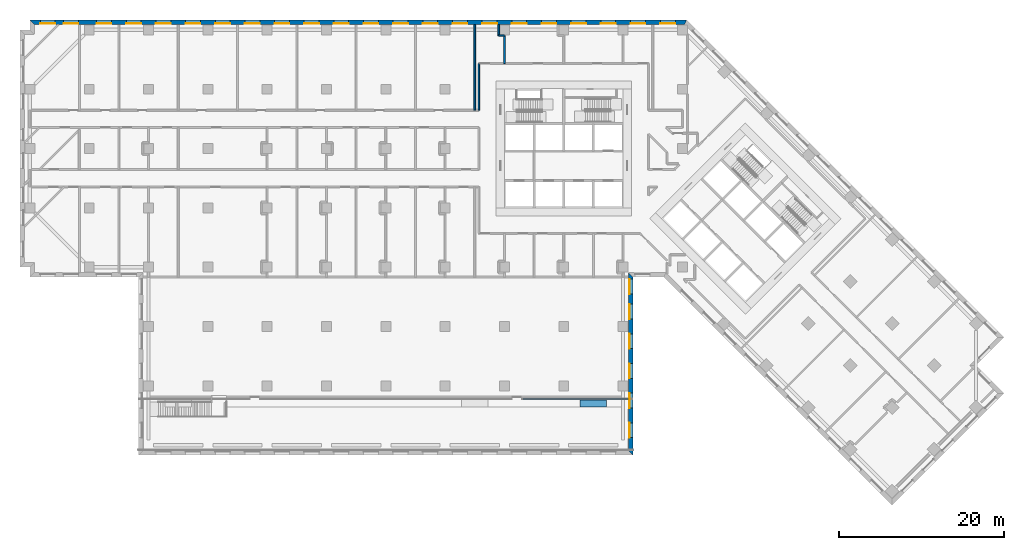
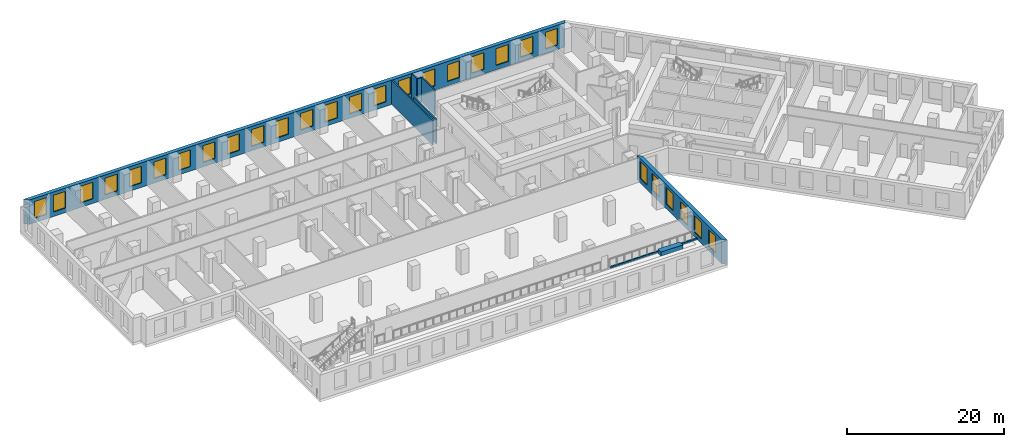
# One storey, part 6 of 14: 28 windows, 9 walls, 28 openings.
"""IFC4 building model written with IfcOpenShell, lengths in metres."""

import ifcopenshell
import ifcopenshell.guid

model = None  # the IFC model being written
_history = None  # IfcOwnerHistory: only IFC2X3 demands one
_inside = {}  # id of a spatial element -> (the spatial element, [elements in it])
_under = {}  # id of a project, library or spatial element -> (it, [spatial elements below it])
_declared = {}  # id of a project -> (the project, [libraries it declares])
_typed = {}  # id of a type object -> (the type object, [elements of that type])
_made_of = {}  # id of a material, layer set ... -> (it, [elements and type objects made of it])


def new_model(schema):
    """Start an empty IFC model of exactly this schema.

    Asked for "IFC4X3", IfcOpenShell would pick the latest addendum, in which some entities
    have other attributes; the version numbers below select the first issue.
    IFC2X3 requires an IfcOwnerHistory on every rooted entity: one is made here for all.
    """
    global model, _history
    if schema == "IFC4X3":
        model = ifcopenshell.file(schema_version=(4, 3, 0, 0))
    else:
        model = ifcopenshell.file(schema=schema)
    _inside.clear()
    _under.clear()
    _declared.clear()
    _typed.clear()
    _made_of.clear()
    _history = None
    if model.schema == "IFC2X3":
        org = make("IfcOrganization", Name="unknown")
        user = make(
            "IfcPersonAndOrganization",
            ThePerson=make("IfcPerson", FamilyName="unknown"),
            TheOrganization=org,
        )
        app = make(
            "IfcApplication",
            ApplicationDeveloper=org,
            Version="unknown",
            ApplicationFullName="unknown",
            ApplicationIdentifier="unknown",
        )
        _history = make(
            "IfcOwnerHistory",
            OwningUser=user,
            OwningApplication=app,
            ChangeAction="ADDED",
            CreationDate=0,
        )
    return model


def make(cls, **values):
    """One entity of the class cls with the attributes given. An attribute that is None is left unset."""
    return model.create_entity(
        cls, **{name: value for name, value in values.items() if value is not None}
    )


def rooted(cls, **values):
    """An entity with a GlobalId (a new one), such as an element, a storey or a relation."""
    return make(cls, GlobalId=ifcopenshell.guid.new(), OwnerHistory=_history, **values)


def si_unit(unit_type, name, prefix=None):
    """IfcSIUnit, for example si_unit("LENGTHUNIT", "METRE", prefix="MILLI")."""
    return make("IfcSIUnit", UnitType=unit_type, Prefix=prefix, Name=name)


def assignment(units):
    """IfcUnitAssignment: the units of a project."""
    return None if units is None else make("IfcUnitAssignment", Units=units)


def point(xyz):
    """IfcCartesianPoint."""
    return None if xyz is None else make("IfcCartesianPoint", Coordinates=xyz)


def direction(xyz):
    """IfcDirection."""
    return None if xyz is None else make("IfcDirection", DirectionRatios=xyz)


def frame(location, z_axis=None, x_axis=None):
    """IfcAxis2Placement3D, a coordinate frame: its origin and axes. An axis left out is left unset."""
    return make(
        "IfcAxis2Placement3D",
        Location=point(location),
        Axis=direction(z_axis),
        RefDirection=direction(x_axis),
    )


def frame_2d(location, x_axis=None):
    """IfcAxis2Placement2D, a coordinate frame in the plane: its origin and x axis."""
    return make(
        "IfcAxis2Placement2D", Location=point(location), RefDirection=direction(x_axis)
    )


def origin():
    """The frame at (0, 0, 0) with its axes left unset."""
    return frame((0.0, 0.0, 0.0))


def place(relative_to, where):
    """IfcLocalPlacement: puts the frame where relative to a parent placement (None: the world)."""
    return make(
        "IfcLocalPlacement", PlacementRelTo=relative_to, RelativePlacement=where
    )


def context(
    kind, dimensions, precision=None, world=None, true_north=None, identifier=None
):
    """IfcGeometricRepresentationContext, for example the 3D "Model" context."""
    return make(
        "IfcGeometricRepresentationContext",
        ContextIdentifier=identifier,
        ContextType=kind,
        CoordinateSpaceDimension=dimensions,
        Precision=precision,
        WorldCoordinateSystem=world,
        TrueNorth=true_north,
    )


def subcontext(parent, identifier, kind, view, scale=None):
    """IfcGeometricRepresentationSubContext, for example "Body" below "Model"."""
    return make(
        "IfcGeometricRepresentationSubContext",
        ContextIdentifier=identifier,
        ContextType=kind,
        ParentContext=parent,
        TargetScale=scale,
        TargetView=view,
    )


def project(units=None, contexts=None):
    """IfcProject with its units and contexts."""
    return rooted(
        "IfcProject",
        Name="project",
        RepresentationContexts=contexts,
        UnitsInContext=assignment(units),
    )


def spatial(cls, under=None, at=None, **own):
    """A site, building, storey or space (cls), placed at a placement, below another one or the project."""
    s = rooted(cls, ObjectPlacement=at, **own)
    if under is not None:
        _under.setdefault(under.id(), (under, []))[1].append(s)
    return s


def polyline(points):
    """IfcPolyline through the points."""
    return make("IfcPolyline", Points=[point(p) for p in points])


def profile(cls, at=None, kind="AREA", **sizes):
    """A parametric profile (cls). Its sizes go by their IFC names, for example OverallWidth=200.0."""
    return make(cls, ProfileType=kind, Position=at, **sizes)


def rectangle(**sizes):
    """IfcRectangleProfileDef."""
    return profile("IfcRectangleProfileDef", **sizes)


def outline(outer, holes=None, kind="AREA"):
    """IfcArbitraryClosedProfileDef: a profile drawn as a closed curve; with holes, ...WithVoids."""
    if holes is None:
        return make("IfcArbitraryClosedProfileDef", ProfileType=kind, OuterCurve=outer)
    return make(
        "IfcArbitraryProfileDefWithVoids",
        ProfileType=kind,
        OuterCurve=outer,
        InnerCurves=holes,
    )


def extrude(swept, where, along, depth):
    """IfcExtrudedAreaSolid: the profile swept, set in the frame where, extruded along a direction by depth."""
    return make(
        "IfcExtrudedAreaSolid",
        SweptArea=swept,
        Position=where,
        ExtrudedDirection=direction(along),
        Depth=depth,
    )


def shape(context_of_items, identifier, shape_type, items):
    """IfcShapeRepresentation: the items that make up one representation, for example the "Body"."""
    return make(
        "IfcShapeRepresentation",
        ContextOfItems=context_of_items,
        RepresentationIdentifier=identifier,
        RepresentationType=shape_type,
        Items=items,
    )


def material(Name=None, Category=None):
    """IfcMaterial."""
    return make("IfcMaterial", Name=Name, Category=Category)


def layer(
    of_material, thickness, ventilated=None, Name=None, Category=None, Priority=None
):
    """IfcMaterialLayer: one layer of a wall or slab, of a material (None: an air gap)."""
    return make(
        "IfcMaterialLayer",
        Material=of_material,
        LayerThickness=thickness,
        IsVentilated=ventilated,
        Name=Name,
        Category=Category,
        Priority=Priority,
    )


def layer_set(layers, Name=None):
    """IfcMaterialLayerSet."""
    return make("IfcMaterialLayerSet", MaterialLayers=layers, LayerSetName=Name)


def made_of(thing, what):
    """Note that an element or type object is made of a material, layer set ...; save() writes the relation."""
    if what is not None:
        _made_of.setdefault(what.id(), (what, []))[1].append(thing)
    return thing


def type_object(cls, material=None, **own):
    """A type object (cls), such as IfcWallType, which elements share."""
    return made_of(rooted(cls, **own), material)


def element(
    cls,
    number,
    at=None,
    inside=None,
    cuts=None,
    type_object=None,
    material=None,
    context=None,
    identifier="Body",
    shape_type=None,
    held_by="IfcProductDefinitionShape",
    body=None,
    shapes=None,
    **own,
):
    """One element of the class cls, such as IfcWall. Its Tag is "e" and its number.

    at: its placement. inside: the storey or other place that contains it. cuts: it is an
    opening in that element (IfcRelVoidsElement). A single representation is given by context,
    identifier, shape_type and body (its items); several are given by shapes. held_by: the class
    of the entity that holds the representations. save() writes the other relations.
    """
    e = rooted(cls, Tag="e%d" % number, ObjectPlacement=at, **own)
    if body is not None:
        shapes = [shape(context, identifier, shape_type, body)]
    if shapes is not None:
        e.Representation = make(held_by, Representations=shapes)
    if inside is not None:
        _inside.setdefault(inside.id(), (inside, []))[1].append(e)
    if cuts is not None:
        rooted(
            "IfcRelVoidsElement", RelatingBuildingElement=cuts, RelatedOpeningElement=e
        )
    if type_object is not None:
        _typed.setdefault(type_object.id(), (type_object, []))[1].append(e)
    return made_of(e, material)


def fill(opening, filler):
    """IfcRelFillsElement: the door or window that sits in an opening."""
    return rooted(
        "IfcRelFillsElement",
        RelatingOpeningElement=opening,
        RelatedBuildingElement=filler,
    )


def aggregate(whole, parts):
    """IfcRelAggregates: a whole, such as a stair, and the parts it consists of."""
    return rooted("IfcRelAggregates", RelatingObject=whole, RelatedObjects=parts)


def save(model, path):
    """Write the relations noted so far, then the file.

    IfcRelAggregates (storeys below a building ...), IfcRelContainedInSpatialStructure (elements
    in a storey), IfcRelDefinesByType, IfcRelAssociatesMaterial and IfcRelDeclares: one each for
    every whole, place, type object, material and project.
    """
    for whole, parts in _under.values():
        aggregate(whole, parts)
    for where, things in _inside.values():
        rooted(
            "IfcRelContainedInSpatialStructure",
            RelatedElements=things,
            RelatingStructure=where,
        )
    for kind, things in _typed.values():
        rooted("IfcRelDefinesByType", RelatedObjects=things, RelatingType=kind)
    for what, things in _made_of.values():
        rooted("IfcRelAssociatesMaterial", RelatedObjects=things, RelatingMaterial=what)
    for by, libraries in _declared.values():
        rooted("IfcRelDeclares", RelatingContext=by, RelatedDefinitions=libraries)
    model.write(path)


model = new_model("IFC4")

# Units and contexts
model_context = context("Model", 3, precision=1e-05, world=origin(), true_north=direction((0.0, 1.0)))
body_context = subcontext(model_context, "Body", "Model", "MODEL_VIEW")
ifc_project = project(units=[si_unit("LENGTHUNIT", "METRE"), si_unit("AREAUNIT", "SQUARE_METRE"), si_unit("VOLUMEUNIT", "CUBIC_METRE"), si_unit("PLANEANGLEUNIT", "RADIAN"), si_unit("MASSUNIT", "GRAM", prefix="KILO")], contexts=[model_context])

# Site, building, storey
site_placement = place(None, origin())
site = spatial("IfcSite", under=ifc_project, at=site_placement, CompositionType="ELEMENT")
building_placement = place(site_placement, origin())
building = spatial("IfcBuilding", under=site, at=building_placement, Name="Windrow Commons", CompositionType="ELEMENT")
storey_placement = place(building_placement, frame((0.0, 0.0, 10.2)))
storey = spatial("IfcBuildingStorey", under=building, at=storey_placement, Name="L02", CompositionType="ELEMENT", Elevation=10.2)

# Wall, openings, windows
ifc_material_1 = material(Name="Brick masonry, red clay brick", Category="masonry")
ifc_layer_1 = layer(ifc_material_1, 0.55)
ifc_layer_set_1 = layer_set([ifc_layer_1], Name="Brick facade wall 550")
wall_type_1 = type_object("IfcWallType", Name="Brick facade wall 550", PredefinedType="SOLIDWALL", material=ifc_layer_set_1)
wall_1_placement = place(storey_placement, frame((79.5832, 72.925, 0.0), z_axis=(0.0, 0.0, 1.0), x_axis=(-1.0, 0.0, 0.0)))
wall_1 = element("IfcWall", 1, at=wall_1_placement, inside=storey, type_object=wall_type_1, Name="Brick facade wall L02 5", PredefinedType="SOLIDWALL", context=body_context, shape_type="SweptSolid", body=[
    extrude(outline(polyline([(-0.1139, -0.275), (79.5832, -0.275), (79.0332, 0.275), (0.1139, 0.275), (-0.1139, -0.275)])), origin(), (0.0, 0.0, 1.0), 3.8),
])
opening_1_placement = place(wall_1_placement, frame((1.2486, 0.0, 0.7)))
opening_1 = element("IfcOpeningElement", 2, at=opening_1_placement, cuts=wall_1, Name="Opening W2", PredefinedType="OPENING", context=body_context, shape_type="SweptSolid", body=[
    extrude(rectangle(XDim=1.8, YDim=2.6, at=frame_2d((0.9, 1.3))), frame((0.0, 0.285, 0.0), z_axis=(0.0, -1.0, 0.0), x_axis=(1.0, 0.0, 0.0)), (0.0, 0.0, 1.0), 0.57),
])
opening_2_placement = place(wall_1_placement, frame((4.8832, 0.0, 0.7)))
opening_2 = element("IfcOpeningElement", 3, at=opening_2_placement, cuts=wall_1, Name="Opening W2", PredefinedType="OPENING", context=body_context, shape_type="SweptSolid", body=[
    extrude(rectangle(XDim=1.8, YDim=2.6, at=frame_2d((0.9, 1.3))), frame((0.0, 0.285, 0.0), z_axis=(0.0, -1.0, 0.0), x_axis=(1.0, 0.0, 0.0)), (0.0, 0.0, 1.0), 0.57),
])
opening_3_placement = place(wall_1_placement, frame((8.4832, 0.0, 0.7)))
opening_3 = element("IfcOpeningElement", 4, at=opening_3_placement, cuts=wall_1, Name="Opening W2", PredefinedType="OPENING", context=body_context, shape_type="SweptSolid", body=[
    extrude(rectangle(XDim=1.8, YDim=2.6, at=frame_2d((0.9, 1.3))), frame((0.0, 0.285, 0.0), z_axis=(0.0, -1.0, 0.0), x_axis=(1.0, 0.0, 0.0)), (0.0, 0.0, 1.0), 0.57),
])
opening_4_placement = place(wall_1_placement, frame((12.0832, 0.0, 0.7)))
opening_4 = element("IfcOpeningElement", 5, at=opening_4_placement, cuts=wall_1, Name="Opening W2", PredefinedType="OPENING", context=body_context, shape_type="SweptSolid", body=[
    extrude(rectangle(XDim=1.8, YDim=2.6, at=frame_2d((0.9, 1.3))), frame((0.0, 0.285, 0.0), z_axis=(0.0, -1.0, 0.0), x_axis=(1.0, 0.0, 0.0)), (0.0, 0.0, 1.0), 0.57),
])
opening_5_placement = place(wall_1_placement, frame((15.6832, 0.0, 0.7)))
opening_5 = element("IfcOpeningElement", 6, at=opening_5_placement, cuts=wall_1, Name="Opening W2", PredefinedType="OPENING", context=body_context, shape_type="SweptSolid", body=[
    extrude(rectangle(XDim=1.8, YDim=2.6, at=frame_2d((0.9, 1.3))), frame((0.0, 0.285, 0.0), z_axis=(0.0, -1.0, 0.0), x_axis=(1.0, 0.0, 0.0)), (0.0, 0.0, 1.0), 0.57),
])
opening_6_placement = place(wall_1_placement, frame((19.2832, 0.0, 0.7)))
opening_6 = element("IfcOpeningElement", 7, at=opening_6_placement, cuts=wall_1, Name="Opening W2", PredefinedType="OPENING", context=body_context, shape_type="SweptSolid", body=[
    extrude(rectangle(XDim=1.8, YDim=2.6, at=frame_2d((0.9, 1.3))), frame((0.0, 0.285, 0.0), z_axis=(0.0, -1.0, 0.0), x_axis=(1.0, 0.0, 0.0)), (0.0, 0.0, 1.0), 0.57),
])
opening_7_placement = place(wall_1_placement, frame((22.8832, 0.0, 0.7)))
opening_7 = element("IfcOpeningElement", 8, at=opening_7_placement, cuts=wall_1, Name="Opening W2", PredefinedType="OPENING", context=body_context, shape_type="SweptSolid", body=[
    extrude(rectangle(XDim=1.8, YDim=2.6, at=frame_2d((0.9, 1.3))), frame((0.0, 0.285, 0.0), z_axis=(0.0, -1.0, 0.0), x_axis=(1.0, 0.0, 0.0)), (0.0, 0.0, 1.0), 0.57),
])
opening_8_placement = place(wall_1_placement, frame((26.4832, 0.0, 0.7)))
opening_8 = element("IfcOpeningElement", 9, at=opening_8_placement, cuts=wall_1, Name="Opening W2", PredefinedType="OPENING", context=body_context, shape_type="SweptSolid", body=[
    extrude(rectangle(XDim=1.8, YDim=2.6, at=frame_2d((0.9, 1.3))), frame((0.0, 0.285, 0.0), z_axis=(0.0, -1.0, 0.0), x_axis=(1.0, 0.0, 0.0)), (0.0, 0.0, 1.0), 0.57),
])
opening_9_placement = place(wall_1_placement, frame((30.0832, 0.0, 0.7)))
opening_9 = element("IfcOpeningElement", 10, at=opening_9_placement, cuts=wall_1, Name="Opening W2", PredefinedType="OPENING", context=body_context, shape_type="SweptSolid", body=[
    extrude(rectangle(XDim=1.8, YDim=2.6, at=frame_2d((0.9, 1.3))), frame((0.0, 0.285, 0.0), z_axis=(0.0, -1.0, 0.0), x_axis=(1.0, 0.0, 0.0)), (0.0, 0.0, 1.0), 0.57),
])
opening_10_placement = place(wall_1_placement, frame((33.6832, 0.0, 0.7)))
opening_10 = element("IfcOpeningElement", 11, at=opening_10_placement, cuts=wall_1, Name="Opening W2", PredefinedType="OPENING", context=body_context, shape_type="SweptSolid", body=[
    extrude(rectangle(XDim=1.8, YDim=2.6, at=frame_2d((0.9, 1.3))), frame((0.0, 0.285, 0.0), z_axis=(0.0, -1.0, 0.0), x_axis=(1.0, 0.0, 0.0)), (0.0, 0.0, 1.0), 0.57),
])
opening_11_placement = place(wall_1_placement, frame((37.2832, 0.0, 0.7)))
opening_11 = element("IfcOpeningElement", 12, at=opening_11_placement, cuts=wall_1, Name="Opening W2", PredefinedType="OPENING", context=body_context, shape_type="SweptSolid", body=[
    extrude(rectangle(XDim=1.8, YDim=2.6, at=frame_2d((0.9, 1.3))), frame((0.0, 0.285, 0.0), z_axis=(0.0, -1.0, 0.0), x_axis=(1.0, 0.0, 0.0)), (0.0, 0.0, 1.0), 0.57),
])
opening_12_placement = place(wall_1_placement, frame((40.8832, 0.0, 0.7)))
opening_12 = element("IfcOpeningElement", 13, at=opening_12_placement, cuts=wall_1, Name="Opening W2", PredefinedType="OPENING", context=body_context, shape_type="SweptSolid", body=[
    extrude(rectangle(XDim=1.8, YDim=2.6, at=frame_2d((0.9, 1.3))), frame((0.0, 0.285, 0.0), z_axis=(0.0, -1.0, 0.0), x_axis=(1.0, 0.0, 0.0)), (0.0, 0.0, 1.0), 0.57),
])
opening_13_placement = place(wall_1_placement, frame((44.4832, 0.0, 0.7)))
opening_13 = element("IfcOpeningElement", 14, at=opening_13_placement, cuts=wall_1, Name="Opening W2", PredefinedType="OPENING", context=body_context, shape_type="SweptSolid", body=[
    extrude(rectangle(XDim=1.8, YDim=2.6, at=frame_2d((0.9, 1.3))), frame((0.0, 0.285, 0.0), z_axis=(0.0, -1.0, 0.0), x_axis=(1.0, 0.0, 0.0)), (0.0, 0.0, 1.0), 0.57),
])
opening_14_placement = place(wall_1_placement, frame((48.0832, 0.0, 0.7)))
opening_14 = element("IfcOpeningElement", 15, at=opening_14_placement, cuts=wall_1, Name="Opening W2", PredefinedType="OPENING", context=body_context, shape_type="SweptSolid", body=[
    extrude(rectangle(XDim=1.8, YDim=2.6, at=frame_2d((0.9, 1.3))), frame((0.0, 0.285, 0.0), z_axis=(0.0, -1.0, 0.0), x_axis=(1.0, 0.0, 0.0)), (0.0, 0.0, 1.0), 0.57),
])
opening_15_placement = place(wall_1_placement, frame((51.6832, 0.0, 0.7)))
opening_15 = element("IfcOpeningElement", 16, at=opening_15_placement, cuts=wall_1, Name="Opening W2", PredefinedType="OPENING", context=body_context, shape_type="SweptSolid", body=[
    extrude(rectangle(XDim=1.8, YDim=2.6, at=frame_2d((0.9, 1.3))), frame((0.0, 0.285, 0.0), z_axis=(0.0, -1.0, 0.0), x_axis=(1.0, 0.0, 0.0)), (0.0, 0.0, 1.0), 0.57),
])
opening_16_placement = place(wall_1_placement, frame((55.2832, 0.0, 0.7)))
opening_16 = element("IfcOpeningElement", 17, at=opening_16_placement, cuts=wall_1, Name="Opening W2", PredefinedType="OPENING", context=body_context, shape_type="SweptSolid", body=[
    extrude(rectangle(XDim=1.8, YDim=2.6, at=frame_2d((0.9, 1.3))), frame((0.0, 0.285, 0.0), z_axis=(0.0, -1.0, 0.0), x_axis=(1.0, 0.0, 0.0)), (0.0, 0.0, 1.0), 0.57),
])
opening_17_placement = place(wall_1_placement, frame((58.8832, 0.0, 0.7)))
opening_17 = element("IfcOpeningElement", 18, at=opening_17_placement, cuts=wall_1, Name="Opening W2", PredefinedType="OPENING", context=body_context, shape_type="SweptSolid", body=[
    extrude(rectangle(XDim=1.8, YDim=2.6, at=frame_2d((0.9, 1.3))), frame((0.0, 0.285, 0.0), z_axis=(0.0, -1.0, 0.0), x_axis=(1.0, 0.0, 0.0)), (0.0, 0.0, 1.0), 0.57),
])
opening_18_placement = place(wall_1_placement, frame((62.4832, 0.0, 0.7)))
opening_18 = element("IfcOpeningElement", 19, at=opening_18_placement, cuts=wall_1, Name="Opening W2", PredefinedType="OPENING", context=body_context, shape_type="SweptSolid", body=[
    extrude(rectangle(XDim=1.8, YDim=2.6, at=frame_2d((0.9, 1.3))), frame((0.0, 0.285, 0.0), z_axis=(0.0, -1.0, 0.0), x_axis=(1.0, 0.0, 0.0)), (0.0, 0.0, 1.0), 0.57),
])
opening_19_placement = place(wall_1_placement, frame((66.0832, 0.0, 0.7)))
opening_19 = element("IfcOpeningElement", 20, at=opening_19_placement, cuts=wall_1, Name="Opening W2", PredefinedType="OPENING", context=body_context, shape_type="SweptSolid", body=[
    extrude(rectangle(XDim=1.8, YDim=2.6, at=frame_2d((0.9, 1.3))), frame((0.0, 0.285, 0.0), z_axis=(0.0, -1.0, 0.0), x_axis=(1.0, 0.0, 0.0)), (0.0, 0.0, 1.0), 0.57),
])
opening_20_placement = place(wall_1_placement, frame((69.6832, 0.0, 0.7)))
opening_20 = element("IfcOpeningElement", 21, at=opening_20_placement, cuts=wall_1, Name="Opening W2", PredefinedType="OPENING", context=body_context, shape_type="SweptSolid", body=[
    extrude(rectangle(XDim=1.8, YDim=2.6, at=frame_2d((0.9, 1.3))), frame((0.0, 0.285, 0.0), z_axis=(0.0, -1.0, 0.0), x_axis=(1.0, 0.0, 0.0)), (0.0, 0.0, 1.0), 0.57),
])
opening_21_placement = place(wall_1_placement, frame((73.6832, 0.0, 0.7)))
opening_21 = element("IfcOpeningElement", 22, at=opening_21_placement, cuts=wall_1, Name="Opening W2", PredefinedType="OPENING", context=body_context, shape_type="SweptSolid", body=[
    extrude(rectangle(XDim=1.8, YDim=2.6, at=frame_2d((0.9, 1.3))), frame((0.0, 0.285, 0.0), z_axis=(0.0, -1.0, 0.0), x_axis=(1.0, 0.0, 0.0)), (0.0, 0.0, 1.0), 0.57),
])
opening_22_placement = place(wall_1_placement, frame((76.5082, 0.0, 0.7)))
opening_22 = element("IfcOpeningElement", 23, at=opening_22_placement, cuts=wall_1, Name="Opening W2", PredefinedType="OPENING", context=body_context, shape_type="SweptSolid", body=[
    extrude(rectangle(XDim=1.8, YDim=2.6, at=frame_2d((0.9, 1.3))), frame((0.0, 0.285, 0.0), z_axis=(0.0, -1.0, 0.0), x_axis=(1.0, 0.0, 0.0)), (0.0, 0.0, 1.0), 0.57),
])
ifc_material_2 = material(Name="Clear float glass in anodised aluminium frame", Category="aluminium")
window_type = type_object("IfcWindowType", Name="Window W2 podium 1800x2600", PartitioningType="SINGLE_PANEL", PredefinedType="WINDOW", material=ifc_material_2)
window_1_placement = place(opening_1_placement, origin())
window_1 = element("IfcWindow", 24, at=window_1_placement, inside=storey, type_object=window_type, Name="Window L02 5.1", OverallHeight=2.6, OverallWidth=1.8, PartitioningType="SINGLE_PANEL", PredefinedType="WINDOW", context=body_context, shape_type="SweptSolid", body=[
    extrude(rectangle(XDim=1.8, YDim=2.6, at=frame_2d((0.9, 1.3))), frame((0.0, 0.155, 0.0), z_axis=(0.0, -1.0, 0.0), x_axis=(1.0, 0.0, 0.0)), (0.0, 0.0, 1.0), 0.06),
])
fill(opening_1, window_1)
window_2_placement = place(opening_2_placement, origin())
window_2 = element("IfcWindow", 25, at=window_2_placement, inside=storey, type_object=window_type, Name="Window L02 5.2", OverallHeight=2.6, OverallWidth=1.8, PartitioningType="SINGLE_PANEL", PredefinedType="WINDOW", context=body_context, shape_type="SweptSolid", body=[
    extrude(rectangle(XDim=1.8, YDim=2.6, at=frame_2d((0.9, 1.3))), frame((0.0, 0.155, 0.0), z_axis=(0.0, -1.0, 0.0), x_axis=(1.0, 0.0, 0.0)), (0.0, 0.0, 1.0), 0.06),
])
fill(opening_2, window_2)
window_3_placement = place(opening_3_placement, origin())
window_3 = element("IfcWindow", 26, at=window_3_placement, inside=storey, type_object=window_type, Name="Window L02 5.3", OverallHeight=2.6, OverallWidth=1.8, PartitioningType="SINGLE_PANEL", PredefinedType="WINDOW", context=body_context, shape_type="SweptSolid", body=[
    extrude(rectangle(XDim=1.8, YDim=2.6, at=frame_2d((0.9, 1.3))), frame((0.0, 0.155, 0.0), z_axis=(0.0, -1.0, 0.0), x_axis=(1.0, 0.0, 0.0)), (0.0, 0.0, 1.0), 0.06),
])
fill(opening_3, window_3)
window_4_placement = place(opening_4_placement, origin())
window_4 = element("IfcWindow", 27, at=window_4_placement, inside=storey, type_object=window_type, Name="Window L02 5.4", OverallHeight=2.6, OverallWidth=1.8, PartitioningType="SINGLE_PANEL", PredefinedType="WINDOW", context=body_context, shape_type="SweptSolid", body=[
    extrude(rectangle(XDim=1.8, YDim=2.6, at=frame_2d((0.9, 1.3))), frame((0.0, 0.155, 0.0), z_axis=(0.0, -1.0, 0.0), x_axis=(1.0, 0.0, 0.0)), (0.0, 0.0, 1.0), 0.06),
])
fill(opening_4, window_4)
window_5_placement = place(opening_5_placement, origin())
window_5 = element("IfcWindow", 28, at=window_5_placement, inside=storey, type_object=window_type, Name="Window L02 5.5", OverallHeight=2.6, OverallWidth=1.8, PartitioningType="SINGLE_PANEL", PredefinedType="WINDOW", context=body_context, shape_type="SweptSolid", body=[
    extrude(rectangle(XDim=1.8, YDim=2.6, at=frame_2d((0.9, 1.3))), frame((0.0, 0.155, 0.0), z_axis=(0.0, -1.0, 0.0), x_axis=(1.0, 0.0, 0.0)), (0.0, 0.0, 1.0), 0.06),
])
fill(opening_5, window_5)
window_6_placement = place(opening_6_placement, origin())
window_6 = element("IfcWindow", 29, at=window_6_placement, inside=storey, type_object=window_type, Name="Window L02 5.6", OverallHeight=2.6, OverallWidth=1.8, PartitioningType="SINGLE_PANEL", PredefinedType="WINDOW", context=body_context, shape_type="SweptSolid", body=[
    extrude(rectangle(XDim=1.8, YDim=2.6, at=frame_2d((0.9, 1.3))), frame((0.0, 0.155, 0.0), z_axis=(0.0, -1.0, 0.0), x_axis=(1.0, 0.0, 0.0)), (0.0, 0.0, 1.0), 0.06),
])
fill(opening_6, window_6)
window_7_placement = place(opening_7_placement, origin())
window_7 = element("IfcWindow", 30, at=window_7_placement, inside=storey, type_object=window_type, Name="Window L02 5.7", OverallHeight=2.6, OverallWidth=1.8, PartitioningType="SINGLE_PANEL", PredefinedType="WINDOW", context=body_context, shape_type="SweptSolid", body=[
    extrude(rectangle(XDim=1.8, YDim=2.6, at=frame_2d((0.9, 1.3))), frame((0.0, 0.155, 0.0), z_axis=(0.0, -1.0, 0.0), x_axis=(1.0, 0.0, 0.0)), (0.0, 0.0, 1.0), 0.06),
])
fill(opening_7, window_7)
window_8_placement = place(opening_8_placement, origin())
window_8 = element("IfcWindow", 31, at=window_8_placement, inside=storey, type_object=window_type, Name="Window L02 5.8", OverallHeight=2.6, OverallWidth=1.8, PartitioningType="SINGLE_PANEL", PredefinedType="WINDOW", context=body_context, shape_type="SweptSolid", body=[
    extrude(rectangle(XDim=1.8, YDim=2.6, at=frame_2d((0.9, 1.3))), frame((0.0, 0.155, 0.0), z_axis=(0.0, -1.0, 0.0), x_axis=(1.0, 0.0, 0.0)), (0.0, 0.0, 1.0), 0.06),
])
fill(opening_8, window_8)
window_9_placement = place(opening_9_placement, origin())
window_9 = element("IfcWindow", 32, at=window_9_placement, inside=storey, type_object=window_type, Name="Window L02 5.9", OverallHeight=2.6, OverallWidth=1.8, PartitioningType="SINGLE_PANEL", PredefinedType="WINDOW", context=body_context, shape_type="SweptSolid", body=[
    extrude(rectangle(XDim=1.8, YDim=2.6, at=frame_2d((0.9, 1.3))), frame((0.0, 0.155, 0.0), z_axis=(0.0, -1.0, 0.0), x_axis=(1.0, 0.0, 0.0)), (0.0, 0.0, 1.0), 0.06),
])
fill(opening_9, window_9)
window_10_placement = place(opening_10_placement, origin())
window_10 = element("IfcWindow", 33, at=window_10_placement, inside=storey, type_object=window_type, Name="Window L02 5.10", OverallHeight=2.6, OverallWidth=1.8, PartitioningType="SINGLE_PANEL", PredefinedType="WINDOW", context=body_context, shape_type="SweptSolid", body=[
    extrude(rectangle(XDim=1.8, YDim=2.6, at=frame_2d((0.9, 1.3))), frame((0.0, 0.155, 0.0), z_axis=(0.0, -1.0, 0.0), x_axis=(1.0, 0.0, 0.0)), (0.0, 0.0, 1.0), 0.06),
])
fill(opening_10, window_10)
window_11_placement = place(opening_11_placement, origin())
window_11 = element("IfcWindow", 34, at=window_11_placement, inside=storey, type_object=window_type, Name="Window L02 5.11", OverallHeight=2.6, OverallWidth=1.8, PartitioningType="SINGLE_PANEL", PredefinedType="WINDOW", context=body_context, shape_type="SweptSolid", body=[
    extrude(rectangle(XDim=1.8, YDim=2.6, at=frame_2d((0.9, 1.3))), frame((0.0, 0.155, 0.0), z_axis=(0.0, -1.0, 0.0), x_axis=(1.0, 0.0, 0.0)), (0.0, 0.0, 1.0), 0.06),
])
fill(opening_11, window_11)
window_12_placement = place(opening_12_placement, origin())
window_12 = element("IfcWindow", 35, at=window_12_placement, inside=storey, type_object=window_type, Name="Window L02 5.12", OverallHeight=2.6, OverallWidth=1.8, PartitioningType="SINGLE_PANEL", PredefinedType="WINDOW", context=body_context, shape_type="SweptSolid", body=[
    extrude(rectangle(XDim=1.8, YDim=2.6, at=frame_2d((0.9, 1.3))), frame((0.0, 0.155, 0.0), z_axis=(0.0, -1.0, 0.0), x_axis=(1.0, 0.0, 0.0)), (0.0, 0.0, 1.0), 0.06),
])
fill(opening_12, window_12)
window_13_placement = place(opening_13_placement, origin())
window_13 = element("IfcWindow", 36, at=window_13_placement, inside=storey, type_object=window_type, Name="Window L02 5.13", OverallHeight=2.6, OverallWidth=1.8, PartitioningType="SINGLE_PANEL", PredefinedType="WINDOW", context=body_context, shape_type="SweptSolid", body=[
    extrude(rectangle(XDim=1.8, YDim=2.6, at=frame_2d((0.9, 1.3))), frame((0.0, 0.155, 0.0), z_axis=(0.0, -1.0, 0.0), x_axis=(1.0, 0.0, 0.0)), (0.0, 0.0, 1.0), 0.06),
])
fill(opening_13, window_13)
window_14_placement = place(opening_14_placement, origin())
window_14 = element("IfcWindow", 37, at=window_14_placement, inside=storey, type_object=window_type, Name="Window L02 5.14", OverallHeight=2.6, OverallWidth=1.8, PartitioningType="SINGLE_PANEL", PredefinedType="WINDOW", context=body_context, shape_type="SweptSolid", body=[
    extrude(rectangle(XDim=1.8, YDim=2.6, at=frame_2d((0.9, 1.3))), frame((0.0, 0.155, 0.0), z_axis=(0.0, -1.0, 0.0), x_axis=(1.0, 0.0, 0.0)), (0.0, 0.0, 1.0), 0.06),
])
fill(opening_14, window_14)
window_15_placement = place(opening_15_placement, origin())
window_15 = element("IfcWindow", 38, at=window_15_placement, inside=storey, type_object=window_type, Name="Window L02 5.15", OverallHeight=2.6, OverallWidth=1.8, PartitioningType="SINGLE_PANEL", PredefinedType="WINDOW", context=body_context, shape_type="SweptSolid", body=[
    extrude(rectangle(XDim=1.8, YDim=2.6, at=frame_2d((0.9, 1.3))), frame((0.0, 0.155, 0.0), z_axis=(0.0, -1.0, 0.0), x_axis=(1.0, 0.0, 0.0)), (0.0, 0.0, 1.0), 0.06),
])
fill(opening_15, window_15)
window_16_placement = place(opening_16_placement, origin())
window_16 = element("IfcWindow", 39, at=window_16_placement, inside=storey, type_object=window_type, Name="Window L02 5.16", OverallHeight=2.6, OverallWidth=1.8, PartitioningType="SINGLE_PANEL", PredefinedType="WINDOW", context=body_context, shape_type="SweptSolid", body=[
    extrude(rectangle(XDim=1.8, YDim=2.6, at=frame_2d((0.9, 1.3))), frame((0.0, 0.155, 0.0), z_axis=(0.0, -1.0, 0.0), x_axis=(1.0, 0.0, 0.0)), (0.0, 0.0, 1.0), 0.06),
])
fill(opening_16, window_16)
window_17_placement = place(opening_17_placement, origin())
window_17 = element("IfcWindow", 40, at=window_17_placement, inside=storey, type_object=window_type, Name="Window L02 5.17", OverallHeight=2.6, OverallWidth=1.8, PartitioningType="SINGLE_PANEL", PredefinedType="WINDOW", context=body_context, shape_type="SweptSolid", body=[
    extrude(rectangle(XDim=1.8, YDim=2.6, at=frame_2d((0.9, 1.3))), frame((0.0, 0.155, 0.0), z_axis=(0.0, -1.0, 0.0), x_axis=(1.0, 0.0, 0.0)), (0.0, 0.0, 1.0), 0.06),
])
fill(opening_17, window_17)
window_18_placement = place(opening_18_placement, origin())
window_18 = element("IfcWindow", 41, at=window_18_placement, inside=storey, type_object=window_type, Name="Window L02 5.18", OverallHeight=2.6, OverallWidth=1.8, PartitioningType="SINGLE_PANEL", PredefinedType="WINDOW", context=body_context, shape_type="SweptSolid", body=[
    extrude(rectangle(XDim=1.8, YDim=2.6, at=frame_2d((0.9, 1.3))), frame((0.0, 0.155, 0.0), z_axis=(0.0, -1.0, 0.0), x_axis=(1.0, 0.0, 0.0)), (0.0, 0.0, 1.0), 0.06),
])
fill(opening_18, window_18)
window_19_placement = place(opening_19_placement, origin())
window_19 = element("IfcWindow", 42, at=window_19_placement, inside=storey, type_object=window_type, Name="Window L02 5.19", OverallHeight=2.6, OverallWidth=1.8, PartitioningType="SINGLE_PANEL", PredefinedType="WINDOW", context=body_context, shape_type="SweptSolid", body=[
    extrude(rectangle(XDim=1.8, YDim=2.6, at=frame_2d((0.9, 1.3))), frame((0.0, 0.155, 0.0), z_axis=(0.0, -1.0, 0.0), x_axis=(1.0, 0.0, 0.0)), (0.0, 0.0, 1.0), 0.06),
])
fill(opening_19, window_19)
window_20_placement = place(opening_20_placement, origin())
window_20 = element("IfcWindow", 43, at=window_20_placement, inside=storey, type_object=window_type, Name="Window L02 5.20", OverallHeight=2.6, OverallWidth=1.8, PartitioningType="SINGLE_PANEL", PredefinedType="WINDOW", context=body_context, shape_type="SweptSolid", body=[
    extrude(rectangle(XDim=1.8, YDim=2.6, at=frame_2d((0.9, 1.3))), frame((0.0, 0.155, 0.0), z_axis=(0.0, -1.0, 0.0), x_axis=(1.0, 0.0, 0.0)), (0.0, 0.0, 1.0), 0.06),
])
fill(opening_20, window_20)
window_21_placement = place(opening_21_placement, origin())
window_21 = element("IfcWindow", 44, at=window_21_placement, inside=storey, type_object=window_type, Name="Window L02 5.21", OverallHeight=2.6, OverallWidth=1.8, PartitioningType="SINGLE_PANEL", PredefinedType="WINDOW", context=body_context, shape_type="SweptSolid", body=[
    extrude(rectangle(XDim=1.8, YDim=2.6, at=frame_2d((0.9, 1.3))), frame((0.0, 0.155, 0.0), z_axis=(0.0, -1.0, 0.0), x_axis=(1.0, 0.0, 0.0)), (0.0, 0.0, 1.0), 0.06),
])
fill(opening_21, window_21)
window_22_placement = place(opening_22_placement, origin())
window_22 = element("IfcWindow", 45, at=window_22_placement, inside=storey, type_object=window_type, Name="Window L02 5.22", OverallHeight=2.6, OverallWidth=1.8, PartitioningType="SINGLE_PANEL", PredefinedType="WINDOW", context=body_context, shape_type="SweptSolid", body=[
    extrude(rectangle(XDim=1.8, YDim=2.6, at=frame_2d((0.9, 1.3))), frame((0.0, 0.155, 0.0), z_axis=(0.0, -1.0, 0.0), x_axis=(1.0, 0.0, 0.0)), (0.0, 0.0, 1.0), 0.06),
])
fill(opening_22, window_22)

wall_2_placement = place(storey_placement, frame((72.925, 20.675, 0.0), z_axis=(0.0, 0.0, 1.0), x_axis=(0.0, 1.0, 0.0)))
wall_2 = element("IfcWall", 46, at=wall_2_placement, inside=storey, type_object=wall_type_1, Name="Brick facade wall L02 14", PredefinedType="SOLIDWALL", context=body_context, shape_type="SweptSolid", body=[
    extrude(outline(polyline([(-0.275, -0.275), (21.325, -0.275), (21.875, 0.275), (0.275, 0.275), (-0.275, -0.275)])), origin(), (0.0, 0.0, 1.0), 3.8),
])
opening_23_placement = place(wall_2_placement, frame((1.825, 0.0, 0.7)))
opening_23 = element("IfcOpeningElement", 47, at=opening_23_placement, cuts=wall_2, Name="Opening W2", PredefinedType="OPENING", context=body_context, shape_type="SweptSolid", body=[
    extrude(rectangle(XDim=1.8, YDim=2.6, at=frame_2d((0.9, 1.3))), frame((0.0, 0.285, 0.0), z_axis=(0.0, -1.0, 0.0), x_axis=(1.0, 0.0, 0.0)), (0.0, 0.0, 1.0), 0.57),
])
opening_24_placement = place(wall_2_placement, frame((5.425, 0.0, 0.7)))
opening_24 = element("IfcOpeningElement", 48, at=opening_24_placement, cuts=wall_2, Name="Opening W2", PredefinedType="OPENING", context=body_context, shape_type="SweptSolid", body=[
    extrude(rectangle(XDim=1.8, YDim=2.6, at=frame_2d((0.9, 1.3))), frame((0.0, 0.285, 0.0), z_axis=(0.0, -1.0, 0.0), x_axis=(1.0, 0.0, 0.0)), (0.0, 0.0, 1.0), 0.57),
])
opening_25_placement = place(wall_2_placement, frame((9.025, 0.0, 0.7)))
opening_25 = element("IfcOpeningElement", 49, at=opening_25_placement, cuts=wall_2, Name="Opening W2", PredefinedType="OPENING", context=body_context, shape_type="SweptSolid", body=[
    extrude(rectangle(XDim=1.8, YDim=2.6, at=frame_2d((0.9, 1.3))), frame((0.0, 0.285, 0.0), z_axis=(0.0, -1.0, 0.0), x_axis=(1.0, 0.0, 0.0)), (0.0, 0.0, 1.0), 0.57),
])
opening_26_placement = place(wall_2_placement, frame((12.625, 0.0, 0.7)))
opening_26 = element("IfcOpeningElement", 50, at=opening_26_placement, cuts=wall_2, Name="Opening W2", PredefinedType="OPENING", context=body_context, shape_type="SweptSolid", body=[
    extrude(rectangle(XDim=1.8, YDim=2.6, at=frame_2d((0.9, 1.3))), frame((0.0, 0.285, 0.0), z_axis=(0.0, -1.0, 0.0), x_axis=(1.0, 0.0, 0.0)), (0.0, 0.0, 1.0), 0.57),
])
opening_27_placement = place(wall_2_placement, frame((16.225, 0.0, 0.7)))
opening_27 = element("IfcOpeningElement", 51, at=opening_27_placement, cuts=wall_2, Name="Opening W2", PredefinedType="OPENING", context=body_context, shape_type="SweptSolid", body=[
    extrude(rectangle(XDim=1.8, YDim=2.6, at=frame_2d((0.9, 1.3))), frame((0.0, 0.285, 0.0), z_axis=(0.0, -1.0, 0.0), x_axis=(1.0, 0.0, 0.0)), (0.0, 0.0, 1.0), 0.57),
])
opening_28_placement = place(wall_2_placement, frame((19.2625, 0.0, 0.7)))
opening_28 = element("IfcOpeningElement", 52, at=opening_28_placement, cuts=wall_2, Name="Opening W2", PredefinedType="OPENING", context=body_context, shape_type="SweptSolid", body=[
    extrude(rectangle(XDim=1.8, YDim=2.6, at=frame_2d((0.9, 1.3))), frame((0.0, 0.285, 0.0), z_axis=(0.0, -1.0, 0.0), x_axis=(1.0, 0.0, 0.0)), (0.0, 0.0, 1.0), 0.57),
])
window_23_placement = place(opening_23_placement, origin())
window_23 = element("IfcWindow", 53, at=window_23_placement, inside=storey, type_object=window_type, Name="Window L02 14.1", OverallHeight=2.6, OverallWidth=1.8, PartitioningType="SINGLE_PANEL", PredefinedType="WINDOW", context=body_context, shape_type="SweptSolid", body=[
    extrude(rectangle(XDim=1.8, YDim=2.6, at=frame_2d((0.9, 1.3))), frame((0.0, 0.155, 0.0), z_axis=(0.0, -1.0, 0.0), x_axis=(1.0, 0.0, 0.0)), (0.0, 0.0, 1.0), 0.06),
])
fill(opening_23, window_23)
window_24_placement = place(opening_24_placement, origin())
window_24 = element("IfcWindow", 54, at=window_24_placement, inside=storey, type_object=window_type, Name="Window L02 14.2", OverallHeight=2.6, OverallWidth=1.8, PartitioningType="SINGLE_PANEL", PredefinedType="WINDOW", context=body_context, shape_type="SweptSolid", body=[
    extrude(rectangle(XDim=1.8, YDim=2.6, at=frame_2d((0.9, 1.3))), frame((0.0, 0.155, 0.0), z_axis=(0.0, -1.0, 0.0), x_axis=(1.0, 0.0, 0.0)), (0.0, 0.0, 1.0), 0.06),
])
fill(opening_24, window_24)
window_25_placement = place(opening_25_placement, origin())
window_25 = element("IfcWindow", 55, at=window_25_placement, inside=storey, type_object=window_type, Name="Window L02 14.3", OverallHeight=2.6, OverallWidth=1.8, PartitioningType="SINGLE_PANEL", PredefinedType="WINDOW", context=body_context, shape_type="SweptSolid", body=[
    extrude(rectangle(XDim=1.8, YDim=2.6, at=frame_2d((0.9, 1.3))), frame((0.0, 0.155, 0.0), z_axis=(0.0, -1.0, 0.0), x_axis=(1.0, 0.0, 0.0)), (0.0, 0.0, 1.0), 0.06),
])
fill(opening_25, window_25)
window_26_placement = place(opening_26_placement, origin())
window_26 = element("IfcWindow", 56, at=window_26_placement, inside=storey, type_object=window_type, Name="Window L02 14.4", OverallHeight=2.6, OverallWidth=1.8, PartitioningType="SINGLE_PANEL", PredefinedType="WINDOW", context=body_context, shape_type="SweptSolid", body=[
    extrude(rectangle(XDim=1.8, YDim=2.6, at=frame_2d((0.9, 1.3))), frame((0.0, 0.155, 0.0), z_axis=(0.0, -1.0, 0.0), x_axis=(1.0, 0.0, 0.0)), (0.0, 0.0, 1.0), 0.06),
])
fill(opening_26, window_26)
window_27_placement = place(opening_27_placement, origin())
window_27 = element("IfcWindow", 57, at=window_27_placement, inside=storey, type_object=window_type, Name="Window L02 14.5", OverallHeight=2.6, OverallWidth=1.8, PartitioningType="SINGLE_PANEL", PredefinedType="WINDOW", context=body_context, shape_type="SweptSolid", body=[
    extrude(rectangle(XDim=1.8, YDim=2.6, at=frame_2d((0.9, 1.3))), frame((0.0, 0.155, 0.0), z_axis=(0.0, -1.0, 0.0), x_axis=(1.0, 0.0, 0.0)), (0.0, 0.0, 1.0), 0.06),
])
fill(opening_27, window_27)
window_28_placement = place(opening_28_placement, origin())
window_28 = element("IfcWindow", 58, at=window_28_placement, inside=storey, type_object=window_type, Name="Window L02 14.6", OverallHeight=2.6, OverallWidth=1.8, PartitioningType="SINGLE_PANEL", PredefinedType="WINDOW", context=body_context, shape_type="SweptSolid", body=[
    extrude(rectangle(XDim=1.8, YDim=2.6, at=frame_2d((0.9, 1.3))), frame((0.0, 0.155, 0.0), z_axis=(0.0, -1.0, 0.0), x_axis=(1.0, 0.0, 0.0)), (0.0, 0.0, 1.0), 0.06),
])
fill(opening_28, window_28)

# Walls
ifc_material_3 = material(Name="Blockwork partition", Category="masonry")
ifc_layer_2 = layer(ifc_material_3, 0.2)
ifc_layer_set_2 = layer_set([ifc_layer_2], Name="IW-CORRIDOR-200")
wall_type_2 = type_object("IfcWallType", Name="IW-CORRIDOR-200", PredefinedType="PARTITIONING", material=ifc_layer_set_2)
wall_3_placement = place(storey_placement, frame((54.5, 62.252, 0.0), z_axis=(0.0, 0.0, 1.0), x_axis=(0.0, 1.0, 0.0)))
element("IfcWall", 59, at=wall_3_placement, inside=storey, type_object=wall_type_2, Name="W-L02-W047", PredefinedType="PARTITIONING", context=body_context, shape_type="SweptSolid", body=[
    extrude(rectangle(XDim=5.648, YDim=0.2, at=frame_2d((2.824, 0.0))), origin(), (0.0, 0.0, 1.0), 3.8),
])
ifc_material_4 = material(Name="Blockwork partition", Category="masonry")
ifc_layer_3 = layer(ifc_material_4, 0.2)
ifc_layer_set_3 = layer_set([ifc_layer_3], Name="IW-PARTY-200")
wall_type_3 = type_object("IfcWallType", Name="IW-PARTY-200", PredefinedType="PARTITIONING", material=ifc_layer_set_3)
wall_4_placement = place(storey_placement, frame((54.0, 62.25, 0.0), z_axis=(0.0, 0.0, 1.0), x_axis=(0.0, 1.0, 0.0)))
element("IfcWall", 60, at=wall_4_placement, inside=storey, type_object=wall_type_3, Name="W-L02-W026", PredefinedType="PARTITIONING", context=body_context, shape_type="SweptSolid", body=[
    extrude(rectangle(XDim=10.4, YDim=0.2, at=frame_2d((5.2, 0.0))), origin(), (0.0, 0.0, 1.0), 3.8),
])
wall_5_placement = place(storey_placement, frame((57.6, 67.9, 0.0), z_axis=(0.0, 0.0, 1.0), x_axis=(0.0, 1.0, 0.0)))
element("IfcWall", 61, at=wall_5_placement, inside=storey, type_object=wall_type_3, Name="W-L02-W066", PredefinedType="PARTITIONING", context=body_context, shape_type="SweptSolid", body=[
    extrude(rectangle(XDim=3.396, YDim=0.2, at=frame_2d((1.698, 0.0))), origin(), (0.0, 0.0, 1.0), 3.8),
])
wall_6_placement = place(storey_placement, frame((56.9, 71.296, 0.0), z_axis=(0.0, 0.0, 1.0), x_axis=(0.0, 1.0, 0.0)))
element("IfcWall", 62, at=wall_6_placement, inside=storey, type_object=wall_type_3, Name="W-L02-W127", PredefinedType="PARTITIONING", context=body_context, shape_type="SweptSolid", body=[
    extrude(rectangle(XDim=1.354, YDim=0.2, at=frame_2d((0.677, 0.0))), origin(), (0.0, 0.0, 1.0), 3.8),
])
wall_7_placement = place(storey_placement, frame((56.9, 71.3, 0.0), z_axis=(0.0, 0.0, 1.0), x_axis=(1.0, 0.0, 0.0)))
element("IfcWall", 63, at=wall_7_placement, inside=storey, type_object=wall_type_3, Name="W-L02-W156", PredefinedType="PARTITIONING", context=body_context, shape_type="SweptSolid", body=[
    extrude(rectangle(XDim=0.7, YDim=0.2, at=frame_2d((0.35, 0.0))), origin(), (0.0, 0.0, 1.0), 3.8),
])
ifc_material_5 = material(Name="Concrete C30/37 planter wall", Category="concrete")
ifc_layer_4 = layer(ifc_material_5, 0.8)
ifc_layer_set_4 = layer_set([ifc_layer_4], Name="Planter 800x600")
wall_type_4 = type_object("IfcWallType", Name="Planter 800x600", PredefinedType="SOLIDWALL", material=ifc_layer_set_4)
wall_8_placement = place(storey_placement, frame((70.0068, 26.65, 0.0), z_axis=(0.0, 0.0, 1.0), x_axis=(-1.0, 0.0, 0.0)))
element("IfcWall", 64, at=wall_8_placement, inside=storey, type_object=wall_type_4, Name="PLANTER TR-L02-1.1", PredefinedType="SOLIDWALL", context=body_context, shape_type="SweptSolid", body=[
    extrude(outline(polyline([(0.0, -0.4), (3.2136, -0.4), (3.2136, 0.4), (0.0, 0.4), (0.0, -0.4)])), origin(), (0.0, 0.0, 1.0), 0.65),
])
ifc_material_6 = material(Name="Brick masonry, red clay brick", Category="masonry")
ifc_layer_5 = layer(ifc_material_6, 0.2)
ifc_layer_set_5 = layer_set([ifc_layer_5], Name="Terrace edge parapet 200")
wall_type_5 = type_object("IfcWallType", Name="Terrace edge parapet 200", PredefinedType="PARAPET", material=ifc_layer_set_5)
wall_9_placement = place(storey_placement, frame((72.65, 27.2, 0.0), z_axis=(0.0, 0.0, 1.0), x_axis=(-1.0, 0.0, 0.0)))
element("IfcWall", 65, at=wall_9_placement, inside=storey, type_object=wall_type_5, Name="Terrace parapet TR-L02-1.1.1", PredefinedType="PARAPET", context=body_context, shape_type="SweptSolid", body=[
    extrude(outline(polyline([(0.0, -0.1), (12.78, -0.1), (12.78, 0.1), (0.0, 0.1), (0.0, -0.1)])), origin(), (0.0, 0.0, 1.0), 0.25),
])

save(model, "model.ifc")
